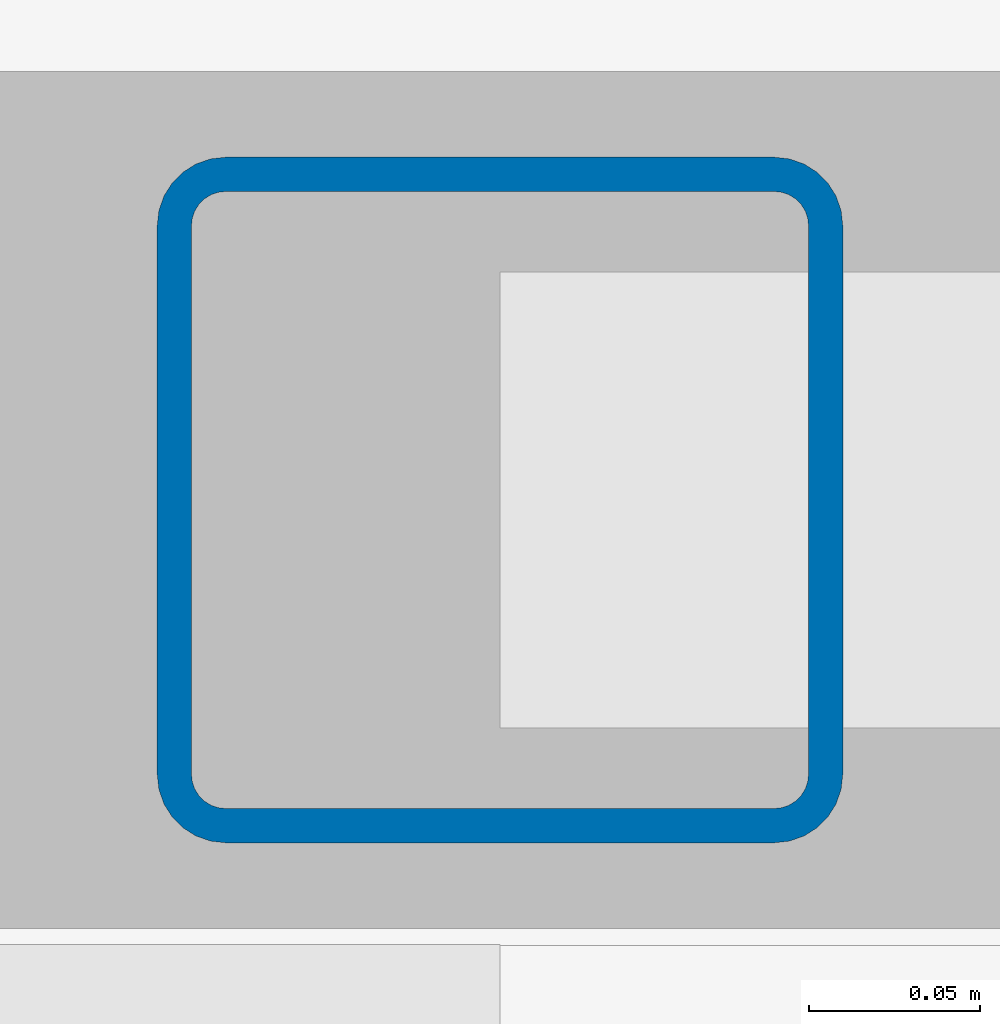
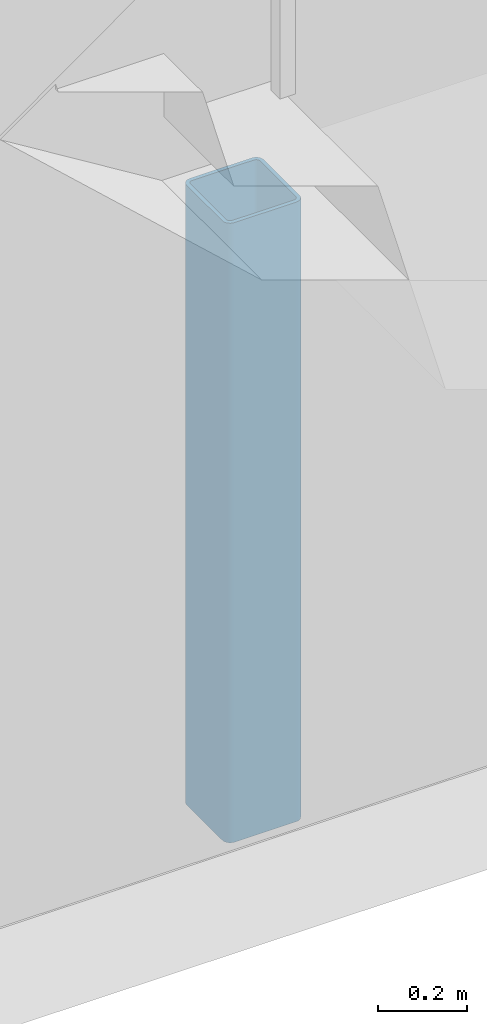
# One storey, part 2 of 13: 1 column.
"""IFC4 building model written with IfcOpenShell, lengths in metres."""

from ifc_helpers import new_model, si_unit, direction, frame, origin, origin_2d, place, context, subcontext, project, spatial, hollow_rectangle, extrude, material, material_profile, profile_set, type_object, element, save


model = new_model("IFC4")

# Units and contexts
model_context = context("Model", 3, precision=1e-05, world=origin(), true_north=direction((0.0, 1.0)))
body_context = subcontext(model_context, "Body", "Model", "MODEL_VIEW")
ifc_project = project(units=[si_unit("LENGTHUNIT", "METRE"), si_unit("AREAUNIT", "SQUARE_METRE"), si_unit("VOLUMEUNIT", "CUBIC_METRE"), si_unit("PLANEANGLEUNIT", "RADIAN"), si_unit("MASSUNIT", "GRAM", prefix="KILO")], contexts=[model_context])

# Site, building, storey
site_placement = place(None, origin())
site = spatial("IfcSite", under=ifc_project, at=site_placement, CompositionType="ELEMENT")
building_placement = place(site_placement, origin())
building = spatial("IfcBuilding", under=site, at=building_placement, Name="Kazma Halo Residences", CompositionType="ELEMENT")
storey_placement = place(building_placement, frame((0.0, 0.0, -3.800048828125)))
storey = spatial("IfcBuildingStorey", under=building, at=storey_placement, Name="B01", CompositionType="ELEMENT", Elevation=-3.800048828125)

# Column
ifc_material = material(Name="Steel S355", Category="steel")
ifc_material_profile = material_profile(ifc_material, hollow_rectangle(XDim=0.199951171875, YDim=0.199951171875, WallThickness=0.010009765625, InnerFilletRadius=0.010009765625, OuterFilletRadius=0.02001953125, at=origin_2d()), Name="SHS200x200x10")
ifc_profile_set = profile_set([ifc_material_profile], Name="Steel S355")
column_type = type_object("IfcColumnType", Name="COL-LP-SHS200", PredefinedType="COLUMN", material=ifc_profile_set)
column_placement = place(storey_placement, frame((56.0, 37.3798828125, 0.0), z_axis=(0.0, 0.0, 1.0), x_axis=(1.0, 0.0, 0.0)))
element("IfcColumn", 1, at=column_placement, inside=storey, type_object=column_type, Name="B01 ST-03 landing pilaster 1", PredefinedType="COLUMN", context=body_context, shape_type="SweptSolid", body=[
    extrude(hollow_rectangle(XDim=0.199951171875, YDim=0.199951171875, WallThickness=0.010009765625, InnerFilletRadius=0.010009765625, OuterFilletRadius=0.02001953125, at=origin_2d()), origin(), (0.0, 0.0, 1.0), 1.695068359375),
])

save(model, "model.ifc")
